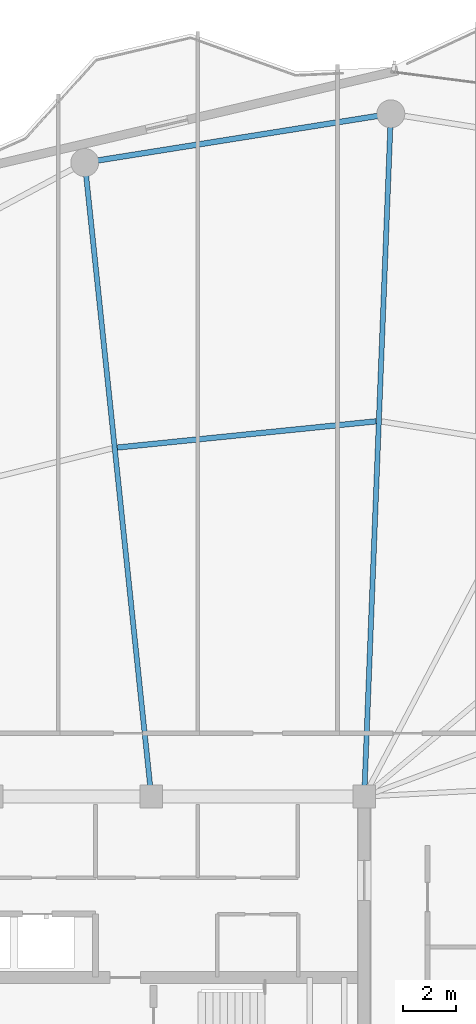
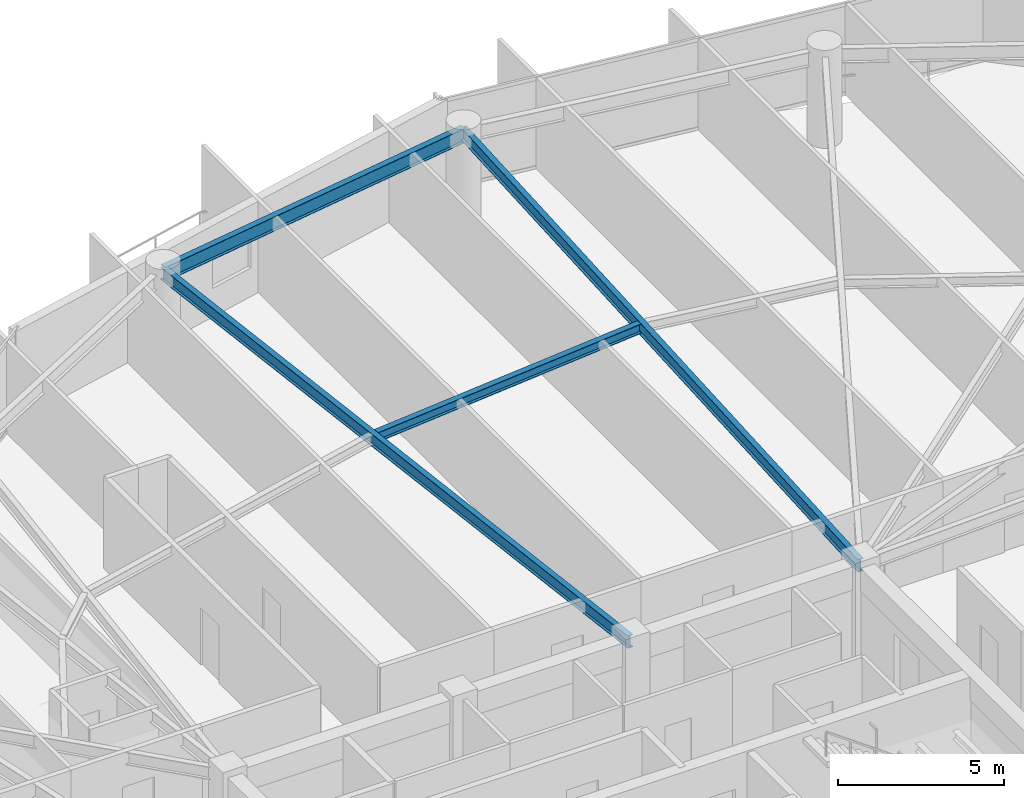
# One storey, part 19 of 31: 4 beams.
"""IFC4 building model written with IfcOpenShell, lengths in metres."""

from ifc_helpers import new_model, si_unit, direction, frame, origin, origin_2d, place, context, subcontext, project, spatial, i_section, extrude, material, material_profile, profile_set, type_object, element, save


model = new_model("IFC4")

# Units and contexts
model_context = context("Model", 3, precision=1e-05, world=origin(), true_north=direction((0.0, 1.0)))
body_context = subcontext(model_context, "Body", "Model", "MODEL_VIEW")
ifc_project = project(units=[si_unit("LENGTHUNIT", "METRE"), si_unit("AREAUNIT", "SQUARE_METRE"), si_unit("VOLUMEUNIT", "CUBIC_METRE"), si_unit("PLANEANGLEUNIT", "RADIAN"), si_unit("MASSUNIT", "GRAM", prefix="KILO")], contexts=[model_context])

# Site, building, storey
site_placement = place(None, origin())
site = spatial("IfcSite", under=ifc_project, at=site_placement, CompositionType="ELEMENT")
building_placement = place(site_placement, origin())
building = spatial("IfcBuilding", under=site, at=building_placement, Name="Kazevale Care Tower and Concert Hall", CompositionType="ELEMENT")
storey_placement = place(building_placement, frame((0.0, 0.0, 238.800048828125)))
storey = spatial("IfcBuildingStorey", under=building, at=storey_placement, Name="L63", CompositionType="ELEMENT", Elevation=238.800048828125)

# Beams
ifc_material = material(Name="Steel ASTM A572 Gr 50", Category="steel")
ifc_material_profile_1 = material_profile(ifc_material, i_section(OverallWidth=0.19091796875, OverallDepth=0.4599609375, WebThickness=0.010009765625, FlangeThickness=0.01611328125, at=origin_2d()), Name="W460x82")
ifc_profile_set_1 = profile_set([ifc_material_profile_1], Name="Steel ASTM A572 Gr 50")
beam_type_1 = type_object("IfcBeamType", Name="Radial Floor Beam W460x82", PredefinedType="BEAM", material=ifc_profile_set_1)
beam_1_placement = place(storey_placement, frame((44.0, 36.39990234375, 3.1298828125), z_axis=(0.03895653799, 0.999240905962, 0.0), x_axis=(-0.999240905962, 0.03895653799, 0.0)))
element("IfcBeam", 1, at=beam_1_placement, inside=storey, type_object=beam_type_1, Name="beam:L63:rad:05", PredefinedType="BEAM", context=body_context, shape_type="SweptSolid", body=[
    extrude(i_section(OverallWidth=0.19091796875, OverallDepth=0.4599609375, WebThickness=0.010009765625, FlangeThickness=0.01611328125, at=origin_2d()), origin(), (0.0, 0.0, 1.0), 25.669677734375),
])
beam_2_placement = place(storey_placement, frame((36.0, 36.39990234375, 3.1298828125), z_axis=(-0.104380207012, 0.994537466556, 0.0), x_axis=(-0.994537466556, -0.104380207012, 0.0)))
element("IfcBeam", 2, at=beam_2_placement, inside=storey, type_object=beam_type_1, Name="beam:L63:rad:06", PredefinedType="BEAM", context=body_context, shape_type="SweptSolid", body=[
    extrude(i_section(OverallWidth=0.19091796875, OverallDepth=0.4599609375, WebThickness=0.010009765625, FlangeThickness=0.01611328125, at=origin_2d()), origin(), (0.0, 0.0, 1.0), 23.950927734375),
])
ifc_material_profile_2 = material_profile(ifc_material, i_section(OverallWidth=0.205078125, OverallDepth=0.35400390625, WebThickness=0.009521484375, FlangeThickness=0.016845703125, at=origin_2d()), Name="W360x79")
ifc_profile_set_2 = profile_set([ifc_material_profile_2], Name="Steel ASTM A572 Gr 50")
beam_type_2 = type_object("IfcBeamType", Name="Secondary Floor Joist W360x79", PredefinedType="JOIST", material=ifc_profile_set_2)
beam_3_placement = place(storey_placement, frame((44.446044921875, 50.4970703125, 3.182861328125), z_axis=(-0.994900388447, -0.10086236696, 0.0), x_axis=(0.10086236696, -0.994900388447, 0.0)))
element("IfcBeam", 3, at=beam_3_placement, inside=storey, type_object=beam_type_2, Name="beam:L63:joist:05", PredefinedType="JOIST", context=body_context, shape_type="SweptSolid", body=[
    extrude(i_section(OverallWidth=0.205078125, OverallDepth=0.35400390625, WebThickness=0.009521484375, FlangeThickness=0.016845703125, at=origin_2d()), origin(), (0.0, 0.0, 1.0), 9.766845703125),
])
ifc_material_profile_3 = material_profile(ifc_material, i_section(OverallWidth=0.208984375, OverallDepth=0.532958984375, WebThickness=0.01025390625, FlangeThickness=0.015625, at=origin_2d()), Name="W530x92")
ifc_profile_set_3 = profile_set([ifc_material_profile_3], Name="Steel ASTM A572 Gr 50")
beam_type_3 = type_object("IfcBeamType", Name="Upper Ring Beam W530x92", PredefinedType="BEAM", material=ifc_profile_set_3)
beam_4_placement = place(storey_placement, frame((45.0, 62.050048828125, 3.093505859375), z_axis=(-0.987573207584, -0.15715966296, 0.0), x_axis=(0.15715966296, -0.987573207584, 0.0)))
element("IfcBeam", 4, at=beam_4_placement, inside=storey, type_object=beam_type_3, Name="beam:L63:ring:05", PredefinedType="BEAM", context=body_context, shape_type="SweptSolid", body=[
    extrude(i_section(OverallWidth=0.208984375, OverallDepth=0.532958984375, WebThickness=0.01025390625, FlangeThickness=0.015625, at=origin_2d()), origin(), (0.0, 0.0, 1.0), 11.644775390625),
])

save(model, "model.ifc")
